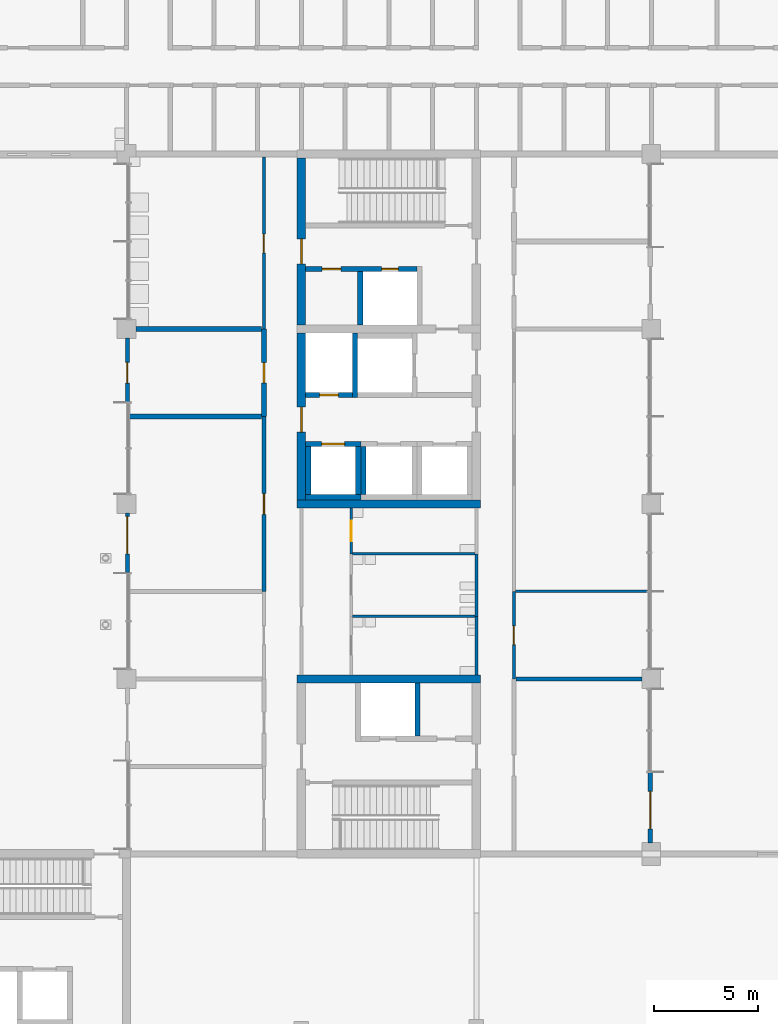
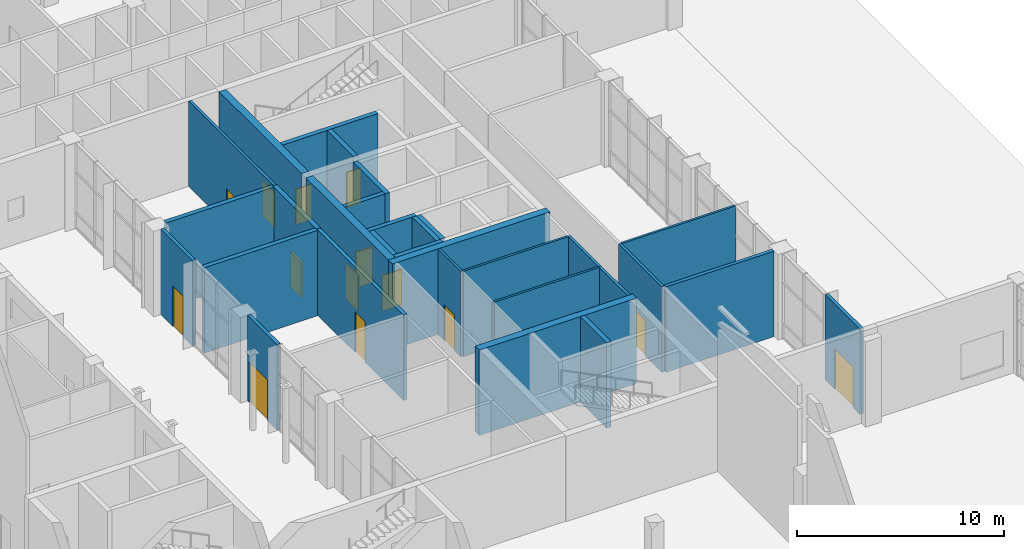
# One storey, part 42 of 76: 30 walls, 14 doors, 14 openings.
"""IFC4 building model written with IfcOpenShell, lengths in metres."""

import ifcopenshell
import ifcopenshell.guid

model = None  # the IFC model being written
_history = None  # IfcOwnerHistory: only IFC2X3 demands one
_inside = {}  # id of a spatial element -> (the spatial element, [elements in it])
_under = {}  # id of a project, library or spatial element -> (it, [spatial elements below it])
_declared = {}  # id of a project -> (the project, [libraries it declares])
_typed = {}  # id of a type object -> (the type object, [elements of that type])
_made_of = {}  # id of a material, layer set ... -> (it, [elements and type objects made of it])


def new_model(schema):
    """Start an empty IFC model of exactly this schema.

    Asked for "IFC4X3", IfcOpenShell would pick the latest addendum, in which some entities
    have other attributes; the version numbers below select the first issue.
    IFC2X3 requires an IfcOwnerHistory on every rooted entity: one is made here for all.
    """
    global model, _history
    if schema == "IFC4X3":
        model = ifcopenshell.file(schema_version=(4, 3, 0, 0))
    else:
        model = ifcopenshell.file(schema=schema)
    _inside.clear()
    _under.clear()
    _declared.clear()
    _typed.clear()
    _made_of.clear()
    _history = None
    if model.schema == "IFC2X3":
        org = make("IfcOrganization", Name="unknown")
        user = make(
            "IfcPersonAndOrganization",
            ThePerson=make("IfcPerson", FamilyName="unknown"),
            TheOrganization=org,
        )
        app = make(
            "IfcApplication",
            ApplicationDeveloper=org,
            Version="unknown",
            ApplicationFullName="unknown",
            ApplicationIdentifier="unknown",
        )
        _history = make(
            "IfcOwnerHistory",
            OwningUser=user,
            OwningApplication=app,
            ChangeAction="ADDED",
            CreationDate=0,
        )
    return model


def make(cls, **values):
    """One entity of the class cls with the attributes given. An attribute that is None is left unset."""
    return model.create_entity(
        cls, **{name: value for name, value in values.items() if value is not None}
    )


def rooted(cls, **values):
    """An entity with a GlobalId (a new one), such as an element, a storey or a relation."""
    return make(cls, GlobalId=ifcopenshell.guid.new(), OwnerHistory=_history, **values)


def si_unit(unit_type, name, prefix=None):
    """IfcSIUnit, for example si_unit("LENGTHUNIT", "METRE", prefix="MILLI")."""
    return make("IfcSIUnit", UnitType=unit_type, Prefix=prefix, Name=name)


def assignment(units):
    """IfcUnitAssignment: the units of a project."""
    return None if units is None else make("IfcUnitAssignment", Units=units)


def point(xyz):
    """IfcCartesianPoint."""
    return None if xyz is None else make("IfcCartesianPoint", Coordinates=xyz)


def direction(xyz):
    """IfcDirection."""
    return None if xyz is None else make("IfcDirection", DirectionRatios=xyz)


def frame(location, z_axis=None, x_axis=None):
    """IfcAxis2Placement3D, a coordinate frame: its origin and axes. An axis left out is left unset."""
    return make(
        "IfcAxis2Placement3D",
        Location=point(location),
        Axis=direction(z_axis),
        RefDirection=direction(x_axis),
    )


def frame_2d(location, x_axis=None):
    """IfcAxis2Placement2D, a coordinate frame in the plane: its origin and x axis."""
    return make(
        "IfcAxis2Placement2D", Location=point(location), RefDirection=direction(x_axis)
    )


def origin():
    """The frame at (0, 0, 0) with its axes left unset."""
    return frame((0.0, 0.0, 0.0))


def place(relative_to, where):
    """IfcLocalPlacement: puts the frame where relative to a parent placement (None: the world)."""
    return make(
        "IfcLocalPlacement", PlacementRelTo=relative_to, RelativePlacement=where
    )


def context(
    kind, dimensions, precision=None, world=None, true_north=None, identifier=None
):
    """IfcGeometricRepresentationContext, for example the 3D "Model" context."""
    return make(
        "IfcGeometricRepresentationContext",
        ContextIdentifier=identifier,
        ContextType=kind,
        CoordinateSpaceDimension=dimensions,
        Precision=precision,
        WorldCoordinateSystem=world,
        TrueNorth=true_north,
    )


def subcontext(parent, identifier, kind, view, scale=None):
    """IfcGeometricRepresentationSubContext, for example "Body" below "Model"."""
    return make(
        "IfcGeometricRepresentationSubContext",
        ContextIdentifier=identifier,
        ContextType=kind,
        ParentContext=parent,
        TargetScale=scale,
        TargetView=view,
    )


def project(units=None, contexts=None):
    """IfcProject with its units and contexts."""
    return rooted(
        "IfcProject",
        Name="project",
        RepresentationContexts=contexts,
        UnitsInContext=assignment(units),
    )


def spatial(cls, under=None, at=None, **own):
    """A site, building, storey or space (cls), placed at a placement, below another one or the project."""
    s = rooted(cls, ObjectPlacement=at, **own)
    if under is not None:
        _under.setdefault(under.id(), (under, []))[1].append(s)
    return s


def profile(cls, at=None, kind="AREA", **sizes):
    """A parametric profile (cls). Its sizes go by their IFC names, for example OverallWidth=200.0."""
    return make(cls, ProfileType=kind, Position=at, **sizes)


def rectangle(**sizes):
    """IfcRectangleProfileDef."""
    return profile("IfcRectangleProfileDef", **sizes)


def extrude(swept, where, along, depth):
    """IfcExtrudedAreaSolid: the profile swept, set in the frame where, extruded along a direction by depth."""
    return make(
        "IfcExtrudedAreaSolid",
        SweptArea=swept,
        Position=where,
        ExtrudedDirection=direction(along),
        Depth=depth,
    )


def shape(context_of_items, identifier, shape_type, items):
    """IfcShapeRepresentation: the items that make up one representation, for example the "Body"."""
    return make(
        "IfcShapeRepresentation",
        ContextOfItems=context_of_items,
        RepresentationIdentifier=identifier,
        RepresentationType=shape_type,
        Items=items,
    )


def material(Name=None, Category=None):
    """IfcMaterial."""
    return make("IfcMaterial", Name=Name, Category=Category)


def layer(
    of_material, thickness, ventilated=None, Name=None, Category=None, Priority=None
):
    """IfcMaterialLayer: one layer of a wall or slab, of a material (None: an air gap)."""
    return make(
        "IfcMaterialLayer",
        Material=of_material,
        LayerThickness=thickness,
        IsVentilated=ventilated,
        Name=Name,
        Category=Category,
        Priority=Priority,
    )


def layer_set(layers, Name=None):
    """IfcMaterialLayerSet."""
    return make("IfcMaterialLayerSet", MaterialLayers=layers, LayerSetName=Name)


def made_of(thing, what):
    """Note that an element or type object is made of a material, layer set ...; save() writes the relation."""
    if what is not None:
        _made_of.setdefault(what.id(), (what, []))[1].append(thing)
    return thing


def type_object(cls, material=None, **own):
    """A type object (cls), such as IfcWallType, which elements share."""
    return made_of(rooted(cls, **own), material)


def element(
    cls,
    number,
    at=None,
    inside=None,
    cuts=None,
    type_object=None,
    material=None,
    context=None,
    identifier="Body",
    shape_type=None,
    held_by="IfcProductDefinitionShape",
    body=None,
    shapes=None,
    **own,
):
    """One element of the class cls, such as IfcWall. Its Tag is "e" and its number.

    at: its placement. inside: the storey or other place that contains it. cuts: it is an
    opening in that element (IfcRelVoidsElement). A single representation is given by context,
    identifier, shape_type and body (its items); several are given by shapes. held_by: the class
    of the entity that holds the representations. save() writes the other relations.
    """
    e = rooted(cls, Tag="e%d" % number, ObjectPlacement=at, **own)
    if body is not None:
        shapes = [shape(context, identifier, shape_type, body)]
    if shapes is not None:
        e.Representation = make(held_by, Representations=shapes)
    if inside is not None:
        _inside.setdefault(inside.id(), (inside, []))[1].append(e)
    if cuts is not None:
        rooted(
            "IfcRelVoidsElement", RelatingBuildingElement=cuts, RelatedOpeningElement=e
        )
    if type_object is not None:
        _typed.setdefault(type_object.id(), (type_object, []))[1].append(e)
    return made_of(e, material)


def fill(opening, filler):
    """IfcRelFillsElement: the door or window that sits in an opening."""
    return rooted(
        "IfcRelFillsElement",
        RelatingOpeningElement=opening,
        RelatedBuildingElement=filler,
    )


def aggregate(whole, parts):
    """IfcRelAggregates: a whole, such as a stair, and the parts it consists of."""
    return rooted("IfcRelAggregates", RelatingObject=whole, RelatedObjects=parts)


def save(model, path):
    """Write the relations noted so far, then the file.

    IfcRelAggregates (storeys below a building ...), IfcRelContainedInSpatialStructure (elements
    in a storey), IfcRelDefinesByType, IfcRelAssociatesMaterial and IfcRelDeclares: one each for
    every whole, place, type object, material and project.
    """
    for whole, parts in _under.values():
        aggregate(whole, parts)
    for where, things in _inside.values():
        rooted(
            "IfcRelContainedInSpatialStructure",
            RelatedElements=things,
            RelatingStructure=where,
        )
    for kind, things in _typed.values():
        rooted("IfcRelDefinesByType", RelatedObjects=things, RelatingType=kind)
    for what, things in _made_of.values():
        rooted("IfcRelAssociatesMaterial", RelatedObjects=things, RelatingMaterial=what)
    for by, libraries in _declared.values():
        rooted("IfcRelDeclares", RelatingContext=by, RelatedDefinitions=libraries)
    model.write(path)


model = new_model("IFC4")

# Units and contexts
model_context = context("Model", 3, precision=1e-05, world=origin(), true_north=direction((0.0, 1.0)))
body_context = subcontext(model_context, "Body", "Model", "MODEL_VIEW")
ifc_project = project(units=[si_unit("LENGTHUNIT", "METRE"), si_unit("AREAUNIT", "SQUARE_METRE"), si_unit("VOLUMEUNIT", "CUBIC_METRE"), si_unit("PLANEANGLEUNIT", "RADIAN"), si_unit("MASSUNIT", "GRAM", prefix="KILO")], contexts=[model_context])

# Site, building, storey
site_placement = place(None, origin())
site = spatial("IfcSite", under=ifc_project, at=site_placement, CompositionType="ELEMENT")
building_placement = place(site_placement, origin())
building = spatial("IfcBuilding", under=site, at=building_placement, Name="Hlaing Beacon Police Headquarters", CompositionType="ELEMENT")
storey_placement = place(building_placement, origin())
storey = spatial("IfcBuildingStorey", under=building, at=storey_placement, Name="L00", CompositionType="ELEMENT", Elevation=0.0)

# Wall
ifc_material_1 = material(Name="Concrete C60/75", Category="concrete")
ifc_layer_1 = layer(ifc_material_1, 0.39990234375)
ifc_layer_set_1 = layer_set([ifc_layer_1], Name="Concrete C60/75")
wall_type_1 = type_object("IfcWallType", Name="Core shear wall 400", PredefinedType="SHEAR", material=ifc_layer_set_1)
wall_1_placement = place(storey_placement, frame((109.0, 50.39990234375, 0.0), z_axis=(0.0, 0.0, 1.0), x_axis=(1.0, 0.0, 0.0)))
element("IfcWall", 1, at=wall_1_placement, inside=storey, type_object=wall_type_1, Name="Core shear wall", PredefinedType="SHEAR", context=body_context, shape_type="SweptSolid", body=[
    extrude(rectangle(XDim=8.800048828125, YDim=0.39990234375, at=frame_2d((4.39990234375, 0.0))), origin(), (0.0, 0.0, 1.0), 5.050048828125),
])

# Wall, opening, door
wall_2_placement = place(storey_placement, frame((109.199951171875, 50.60009765625, 0.0), z_axis=(0.0, 0.0, 1.0), x_axis=(0.0, 1.0, 0.0)))
wall_2 = element("IfcWall", 2, at=wall_2_placement, inside=storey, type_object=wall_type_1, Name="Core shear wall", PredefinedType="SHEAR", context=body_context, shape_type="SweptSolid", body=[
    extrude(rectangle(XDim=8.0, YDim=0.39990234375, at=frame_2d((4.0, 0.0))), origin(), (0.0, 0.0, 1.0), 5.050048828125),
])
opening_1_placement = place(wall_2_placement, frame((3.25, 0.0, 0.0)))
opening_1 = element("IfcOpeningElement", 3, at=opening_1_placement, cuts=wall_2, Name="Opening L00-945", PredefinedType="OPENING", context=body_context, shape_type="SweptSolid", body=[
    extrude(rectangle(XDim=1.199951171875, YDim=2.10009765625, at=frame_2d((0.60009765625, 1.050048828125))), frame((0.0, 0.2099609375, 0.0), z_axis=(0.0, -1.0, 0.0), x_axis=(1.0, 0.0, 0.0)), (0.0, 0.0, 1.0), 0.419921875),
])
ifc_material_2 = material(Name="Steel fire door leaf", Category="steel")
ifc_layer_2 = layer(ifc_material_2, 0.070068359375)
ifc_layer_set_2 = layer_set([ifc_layer_2], Name="Steel fire door leaf")
door_type_1 = type_object("IfcDoorType", Name="Steel fire door FD60S 1200x2100", OperationType="SINGLE_SWING_LEFT", PredefinedType="DOOR", material=ifc_layer_set_2)
door_1_placement = place(opening_1_placement, frame((1.199951171875, 0.0, 0.0), z_axis=(0.0, 0.0, 1.0), x_axis=(-1.0, 0.0, 0.0)))
door_1 = element("IfcDoor", 4, at=door_1_placement, inside=storey, type_object=door_type_1, Name="Door Lift Lobby Entry", OperationType="SINGLE_SWING_LEFT", OverallHeight=2.10009765625, OverallWidth=1.199951171875, PredefinedType="DOOR", context=body_context, shape_type="SweptSolid", body=[
    extrude(rectangle(XDim=1.199951171875, YDim=2.10009765625, at=frame_2d((0.599853515625, 1.050048828125))), frame((0.0, 0.034912109375, 0.0), z_axis=(0.0, -1.0, 0.0), x_axis=(1.0, 0.0, 0.0)), (0.0, 0.0, 1.0), 0.070068359375),
])
fill(opening_1, door_1)

wall_3_placement = place(storey_placement, frame((109.199951171875, 59.0, 0.0), z_axis=(0.0, 0.0, 1.0), x_axis=(0.0, 1.0, 0.0)))
wall_3 = element("IfcWall", 5, at=wall_3_placement, inside=storey, type_object=wall_type_1, Name="Core shear wall", PredefinedType="SHEAR", context=body_context, shape_type="SweptSolid", body=[
    extrude(rectangle(XDim=8.0, YDim=0.39990234375, at=frame_2d((4.0, 0.0))), origin(), (0.0, 0.0, 1.0), 5.050048828125),
])
opening_2_placement = place(wall_3_placement, frame((2.925048828125, 0.0, 0.0)))
opening_2 = element("IfcOpeningElement", 6, at=opening_2_placement, cuts=wall_3, Name="Opening L00-951", PredefinedType="OPENING", context=body_context, shape_type="SweptSolid", body=[
    extrude(rectangle(XDim=1.199951171875, YDim=2.10009765625, at=frame_2d((0.60009765625, 1.050048828125))), frame((0.0, 0.2099609375, 0.0), z_axis=(0.0, -1.0, 0.0), x_axis=(1.0, 0.0, 0.0)), (0.0, 0.0, 1.0), 0.419921875),
])
door_2_placement = place(opening_2_placement, frame((1.199951171875, 0.0, 0.0), z_axis=(0.0, 0.0, 1.0), x_axis=(-1.0, 0.0, 0.0)))
door_2 = element("IfcDoor", 7, at=door_2_placement, inside=storey, type_object=door_type_1, Name="Door Stair Lobby ST-M Entry", OperationType="SINGLE_SWING_LEFT", OverallHeight=2.10009765625, OverallWidth=1.199951171875, PredefinedType="DOOR", context=body_context, shape_type="SweptSolid", body=[
    extrude(rectangle(XDim=1.199951171875, YDim=2.10009765625, at=frame_2d((0.599853515625, 1.050048828125))), frame((0.0, 0.034912109375, 0.0), z_axis=(0.0, -1.0, 0.0), x_axis=(1.0, 0.0, 0.0)), (0.0, 0.0, 1.0), 0.070068359375),
])
fill(opening_2, door_2)

# Wall
wall_4_placement = place(storey_placement, frame((109.0, 42.0, 0.0), z_axis=(0.0, 0.0, 1.0), x_axis=(1.0, 0.0, 0.0)))
element("IfcWall", 8, at=wall_4_placement, inside=storey, type_object=wall_type_1, Name="Core shear wall", PredefinedType="SHEAR", context=body_context, shape_type="SweptSolid", body=[
    extrude(rectangle(XDim=8.800048828125, YDim=0.39990234375, at=frame_2d((4.39990234375, 0.0))), origin(), (0.0, 0.0, 1.0), 5.050048828125),
])

# Wall, opening, door
ifc_material_3 = material(Name="Gypsum board partition")
ifc_layer_3 = layer(ifc_material_3, 0.14990234375)
ifc_layer_set_3 = layer_set([ifc_layer_3], Name="Gypsum board partition")
wall_type_2 = type_object("IfcWallType", Name="Corridor wall EI 30 150", PredefinedType="PARTITIONING", material=ifc_layer_set_3)
wall_5_placement = place(storey_placement, frame((119.39990234375, 42.0, 0.0), z_axis=(0.0, 0.0, 1.0), x_axis=(0.0, 1.0, 0.0)))
wall_5 = element("IfcWall", 9, at=wall_5_placement, inside=storey, type_object=wall_type_2, Name="Corridor wall EI 30 150", PredefinedType="PARTITIONING", context=body_context, shape_type="SweptSolid", body=[
    extrude(rectangle(XDim=4.199951171875, YDim=0.14990234375, at=frame_2d((2.10009765625, 0.0))), origin(), (0.0, 0.0, 1.0), 5.050048828125),
])
opening_3_placement = place(wall_5_placement, frame((1.64990234375, 0.0, 0.0)))
opening_3 = element("IfcOpeningElement", 10, at=opening_3_placement, cuts=wall_5, Name="Opening L00-049", PredefinedType="OPENING", context=body_context, shape_type="SweptSolid", body=[
    extrude(rectangle(XDim=0.89990234375, YDim=2.10009765625, at=frame_2d((0.449951171875, 1.050048828125))), frame((0.0, 0.0849609375, 0.0), z_axis=(0.0, -1.0, 0.0), x_axis=(1.0, 0.0, 0.0)), (0.0, 0.0, 1.0), 0.169921875),
])
ifc_material_4 = material(Name="Hardwood door leaf", Category="wood")
ifc_layer_4 = layer(ifc_material_4, 0.050048828125)
ifc_layer_set_4 = layer_set([ifc_layer_4], Name="Hardwood door leaf")
door_type_2 = type_object("IfcDoorType", Name="Fire door FD30S 900x2100", OperationType="SINGLE_SWING_LEFT", PredefinedType="DOOR", material=ifc_layer_set_4)
door_3_placement = place(opening_3_placement, frame((0.89990234375, 0.0, 0.0), z_axis=(0.0, 0.0, 1.0), x_axis=(-1.0, 0.0, 0.0)))
door_3 = element("IfcDoor", 11, at=door_3_placement, inside=storey, type_object=door_type_2, Name="Door Duty Sergeants' Office", OperationType="SINGLE_SWING_LEFT", OverallHeight=2.10009765625, OverallWidth=0.89990234375, PredefinedType="DOOR", context=body_context, shape_type="SweptSolid", body=[
    extrude(rectangle(XDim=0.89990234375, YDim=2.10009765625, at=frame_2d((0.449951171875, 1.050048828125))), frame((0.0, 0.025146484375, 0.0), z_axis=(0.0, -1.0, 0.0), x_axis=(1.0, 0.0, 0.0)), (0.0, 0.0, 1.0), 0.050048828125),
])
fill(opening_3, door_3)

# Walls
wall_6_placement = place(storey_placement, frame((117.60009765625, 45.0, 0.0), z_axis=(0.0, 0.0, 1.0), x_axis=(0.0, 1.0, 0.0)))
element("IfcWall", 12, at=wall_6_placement, inside=storey, type_object=wall_type_2, Name="Corridor wall EI 30 150", PredefinedType="PARTITIONING", context=body_context, shape_type="SweptSolid", body=[
    extrude(rectangle(XDim=3.0, YDim=0.14990234375, at=frame_2d((1.5, 0.0))), origin(), (0.0, 0.0, 1.0), 5.050048828125),
])
wall_7_placement = place(storey_placement, frame((117.60009765625, 42.199951171875, 0.0), z_axis=(0.0, 0.0, 1.0), x_axis=(0.0, 1.0, 0.0)))
element("IfcWall", 13, at=wall_7_placement, inside=storey, type_object=wall_type_2, Name="Corridor wall EI 30 150", PredefinedType="PARTITIONING", context=body_context, shape_type="SweptSolid", body=[
    extrude(rectangle(XDim=2.800048828125, YDim=0.14990234375, at=frame_2d((1.39990234375, 0.0))), origin(), (0.0, 0.0, 1.0), 5.050048828125),
])

# Wall, opening, door
wall_8_placement = place(storey_placement, frame((107.39990234375, 58.800048828125, 0.0), z_axis=(0.0, 0.0, 1.0), x_axis=(0.0, 1.0, 0.0)))
wall_8 = element("IfcWall", 14, at=wall_8_placement, inside=storey, type_object=wall_type_2, Name="Corridor wall EI 30 150", PredefinedType="PARTITIONING", context=body_context, shape_type="SweptSolid", body=[
    extrude(rectangle(XDim=8.25, YDim=0.14990234375, at=frame_2d((4.125, 0.0))), origin(), (0.0, 0.0, 1.0), 5.050048828125),
])
opening_4_placement = place(wall_8_placement, frame((3.64990234375, 0.0, 0.0)))
opening_4 = element("IfcOpeningElement", 15, at=opening_4_placement, cuts=wall_8, Name="Opening L00-063", PredefinedType="OPENING", context=body_context, shape_type="SweptSolid", body=[
    extrude(rectangle(XDim=0.89990234375, YDim=2.10009765625, at=frame_2d((0.449951171875, 1.050048828125))), frame((0.0, 0.0849609375, 0.0), z_axis=(0.0, -1.0, 0.0), x_axis=(1.0, 0.0, 0.0)), (0.0, 0.0, 1.0), 0.169921875),
])
door_4_placement = place(opening_4_placement, origin())
door_4 = element("IfcDoor", 16, at=door_4_placement, inside=storey, type_object=door_type_2, Name="Door Locker and Shower Rooms", OperationType="SINGLE_SWING_LEFT", OverallHeight=2.10009765625, OverallWidth=0.89990234375, PredefinedType="DOOR", context=body_context, shape_type="SweptSolid", body=[
    extrude(rectangle(XDim=0.89990234375, YDim=2.10009765625, at=frame_2d((0.449951171875, 1.050048828125))), frame((0.0, 0.02490234375, 0.0), z_axis=(0.0, -1.0, 0.0), x_axis=(1.0, 0.0, 0.0)), (0.0, 0.0, 1.0), 0.050048828125),
])
fill(opening_4, door_4)

ifc_material_5 = material(Name="Concrete blockwork 7.5 N/mm2", Category="masonry")
ifc_layer_5 = layer(ifc_material_5, 0.25)
ifc_layer_set_5 = layer_set([ifc_layer_5], Name="Concrete blockwork 7.5 N/mm2")
wall_type_3 = type_object("IfcWallType", Name="Fire command room wall EI 120 250", PredefinedType="PARTITIONING", material=ifc_layer_set_5)
wall_9_placement = place(storey_placement, frame((107.39990234375, 54.60009765625, 0.0), z_axis=(0.0, 0.0, 1.0), x_axis=(0.0, 1.0, 0.0)))
wall_9 = element("IfcWall", 17, at=wall_9_placement, inside=storey, type_object=wall_type_3, Name="Fire command room wall EI 120 250", PredefinedType="PARTITIONING", context=body_context, shape_type="SweptSolid", body=[
    extrude(rectangle(XDim=4.199951171875, YDim=0.25, at=frame_2d((2.10009765625, 0.0))), origin(), (0.0, 0.0, 1.0), 5.050048828125),
])
opening_5_placement = place(wall_9_placement, frame((1.60009765625, 0.0, 0.0)))
opening_5 = element("IfcOpeningElement", 18, at=opening_5_placement, cuts=wall_9, Name="Opening L00-062", PredefinedType="OPENING", context=body_context, shape_type="SweptSolid", body=[
    extrude(rectangle(XDim=1.0, YDim=2.10009765625, at=frame_2d((0.5, 1.050048828125))), frame((0.0, 0.135009765625, 0.0), z_axis=(0.0, -1.0, 0.0), x_axis=(1.0, 0.0, 0.0)), (0.0, 0.0, 1.0), 0.27001953125),
])
ifc_material_6 = material(Name="Hardwood door leaf", Category="wood")
ifc_layer_6 = layer(ifc_material_6, 0.10009765625)
ifc_layer_set_6 = layer_set([ifc_layer_6], Name="Hardwood door leaf")
door_type_3 = type_object("IfcDoorType", Name="Fire door FD120 1000x2100", OperationType="SINGLE_SWING_LEFT", PredefinedType="DOOR", material=ifc_layer_set_6)
door_5_placement = place(opening_5_placement, origin())
door_5 = element("IfcDoor", 19, at=door_5_placement, inside=storey, type_object=door_type_3, Name="Door Fire Command Room", OperationType="SINGLE_SWING_RIGHT", OverallHeight=2.10009765625, OverallWidth=1.0, PredefinedType="DOOR", context=body_context, shape_type="SweptSolid", body=[
    extrude(rectangle(XDim=1.0, YDim=2.10009765625, at=frame_2d((0.5, 1.050048828125))), frame((0.0, 0.050048828125, 0.0), z_axis=(0.0, -1.0, 0.0), x_axis=(1.0, 0.0, 0.0)), (0.0, 0.0, 1.0), 0.10009765625),
])
fill(opening_5, door_5)

# Walls
wall_10_placement = place(storey_placement, frame((100.949951171875, 54.60009765625, 0.0), z_axis=(0.0, 0.0, 1.0), x_axis=(1.0, 0.0, 0.0)))
element("IfcWall", 20, at=wall_10_placement, inside=storey, type_object=wall_type_3, Name="Fire command room wall EI 120 250", PredefinedType="PARTITIONING", context=body_context, shape_type="SweptSolid", body=[
    extrude(rectangle(XDim=6.324951171875, YDim=0.25, at=frame_2d((3.16259765625, 0.0))), origin(), (0.0, 0.0, 1.0), 5.050048828125),
])
wall_11_placement = place(storey_placement, frame((101.25, 58.800048828125, 0.0), z_axis=(0.0, 0.0, 1.0), x_axis=(1.0, 0.0, 0.0)))
element("IfcWall", 21, at=wall_11_placement, inside=storey, type_object=wall_type_3, Name="Fire command room wall EI 120 250", PredefinedType="PARTITIONING", context=body_context, shape_type="SweptSolid", body=[
    extrude(rectangle(XDim=6.02490234375, YDim=0.25, at=frame_2d((3.012451171875, 0.0))), origin(), (0.0, 0.0, 1.0), 5.050048828125),
])

# Wall, opening, door
ifc_material_7 = material(Name="Insulated aluminium cladding system", Category="aluminium")
ifc_layer_7 = layer(ifc_material_7, 0.199951171875)
ifc_layer_set_7 = layer_set([ifc_layer_7], Name="Insulated aluminium cladding system")
wall_type_4 = type_object("IfcWallType", Name="Insulated aluminium clad wall 200", PredefinedType="SOLIDWALL", material=ifc_layer_set_7)
wall_12_placement = place(storey_placement, frame((125.949951171875, 34.1298828125, 0.0), z_axis=(0.0, 0.0, 1.0), x_axis=(0.0, 1.0, 0.0)))
wall_12 = element("IfcWall", 22, at=wall_12_placement, inside=storey, type_object=wall_type_4, Name="External wall L00 E027", PredefinedType="SOLIDWALL", context=body_context, shape_type="SweptSolid", body=[
    extrude(rectangle(XDim=3.3701171875, YDim=0.199951171875, at=frame_2d((1.68505859375, 0.0))), origin(), (0.0, 0.0, 1.0), 5.050048828125),
])
opening_6_placement = place(wall_12_placement, frame((0.669921875, 0.0, 0.0)))
opening_6 = element("IfcOpeningElement", 23, at=opening_6_placement, cuts=wall_12, Name="Opening L00-809", PredefinedType="OPENING", context=body_context, shape_type="SweptSolid", body=[
    extrude(rectangle(XDim=1.800048828125, YDim=2.39990234375, at=frame_2d((0.89990234375, 1.199951171875))), frame((0.0, 0.10986328125, 0.0), z_axis=(0.0, -1.0, 0.0), x_axis=(1.0, 0.0, 0.0)), (0.0, 0.0, 1.0), 0.219970703125),
])
ifc_material_8 = material(Name="Aluminium framed glazed door", Category="aluminium")
door_type_4 = type_object("IfcDoorType", Name="Entrance door 1800x2400 double", OperationType="DOUBLE_DOOR_DOUBLE_SWING", PredefinedType="DOOR", material=ifc_material_8)
door_6_placement = place(opening_6_placement, frame((1.800048828125, 0.0, 0.0), z_axis=(0.0, 0.0, 1.0), x_axis=(-1.0, 0.0, 0.0)))
door_6 = element("IfcDoor", 24, at=door_6_placement, inside=storey, type_object=door_type_4, Name="Door Operations Staff Lobby", OperationType="DOUBLE_DOOR_DOUBLE_SWING", OverallHeight=2.39990234375, OverallWidth=1.800048828125, PredefinedType="DOOR", context=body_context, shape_type="SweptSolid", body=[
    extrude(rectangle(XDim=1.800048828125, YDim=2.39990234375, at=frame_2d((0.900146484375, 1.199951171875))), frame((0.0, 0.025146484375, 0.0), z_axis=(0.0, -1.0, 0.0), x_axis=(1.0, 0.0, 0.0)), (0.0, 0.0, 1.0), 0.050048828125),
])
fill(opening_6, door_6)

wall_13_placement = place(storey_placement, frame((100.85009765625, 58.3701171875, 0.0), z_axis=(0.0, 0.0, 1.0), x_axis=(0.0, -1.0, 0.0)))
wall_13 = element("IfcWall", 25, at=wall_13_placement, inside=storey, type_object=wall_type_4, Name="External wall L00 W040", PredefinedType="SOLIDWALL", context=body_context, shape_type="SweptSolid", body=[
    extrude(rectangle(XDim=3.070068359375, YDim=0.199951171875, at=frame_2d((1.53515625, 0.0))), origin(), (0.0, 0.0, 1.0), 5.050048828125),
])
opening_7_placement = place(wall_13_placement, frame((1.169921875, 0.0, 0.0)))
opening_7 = element("IfcOpeningElement", 26, at=opening_7_placement, cuts=wall_13, Name="Opening L00-814", PredefinedType="OPENING", context=body_context, shape_type="SweptSolid", body=[
    extrude(rectangle(XDim=1.0, YDim=2.39990234375, at=frame_2d((0.5, 1.199951171875))), frame((0.0, 0.10986328125, 0.0), z_axis=(0.0, -1.0, 0.0), x_axis=(1.0, 0.0, 0.0)), (0.0, 0.0, 1.0), 0.219970703125),
])
ifc_material_9 = material(Name="Steel door", Category="steel")
door_type_5 = type_object("IfcDoorType", Name="Steel fire door FD120 1000x2400", OperationType="SINGLE_SWING_LEFT", PredefinedType="DOOR", material=ifc_material_9)
door_7_placement = place(opening_7_placement, frame((1.0, 0.0, 0.0), z_axis=(0.0, 0.0, 1.0), x_axis=(-1.0, 0.0, 0.0)))
door_7 = element("IfcDoor", 27, at=door_7_placement, inside=storey, type_object=door_type_5, Name="Door Fire Command Room", OperationType="SINGLE_SWING_RIGHT", OverallHeight=2.39990234375, OverallWidth=1.0, PredefinedType="DOOR", context=body_context, shape_type="SweptSolid", body=[
    extrude(rectangle(XDim=1.0, YDim=2.39990234375, at=frame_2d((0.5, 1.199951171875))), frame((0.0, 0.025146484375, 0.0), z_axis=(0.0, -1.0, 0.0), x_axis=(1.0, 0.0, 0.0)), (0.0, 0.0, 1.0), 0.050048828125),
])
fill(opening_7, door_7)

wall_14_placement = place(storey_placement, frame((100.85009765625, 49.969970703125, 0.0), z_axis=(0.0, 0.0, 1.0), x_axis=(0.0, -1.0, 0.0)))
wall_14 = element("IfcWall", 28, at=wall_14_placement, inside=storey, type_object=wall_type_4, Name="External wall L00 W041", PredefinedType="SOLIDWALL", context=body_context, shape_type="SweptSolid", body=[
    extrude(rectangle(XDim=2.869873046875, YDim=0.199951171875, at=frame_2d((1.43505859375, 0.0))), origin(), (0.0, 0.0, 1.0), 5.050048828125),
])
opening_8_placement = place(wall_14_placement, frame((0.169921875, 0.0, 0.0)))
opening_8 = element("IfcOpeningElement", 29, at=opening_8_placement, cuts=wall_14, Name="Opening L00-815", PredefinedType="OPENING", context=body_context, shape_type="SweptSolid", body=[
    extrude(rectangle(XDim=1.800048828125, YDim=2.39990234375, at=frame_2d((0.89990234375, 1.199951171875))), frame((0.0, 0.10986328125, 0.0), z_axis=(0.0, -1.0, 0.0), x_axis=(1.0, 0.0, 0.0)), (0.0, 0.0, 1.0), 0.219970703125),
])
door_8_placement = place(opening_8_placement, frame((1.800048828125, 0.0, 0.0), z_axis=(0.0, 0.0, 1.0), x_axis=(-1.0, 0.0, 0.0)))
door_8 = element("IfcDoor", 30, at=door_8_placement, inside=storey, type_object=door_type_4, Name="Door Operations Entrance and Security Lobby", OperationType="DOUBLE_DOOR_DOUBLE_SWING", OverallHeight=2.39990234375, OverallWidth=1.800048828125, PredefinedType="DOOR", context=body_context, shape_type="SweptSolid", body=[
    extrude(rectangle(XDim=1.800048828125, YDim=2.39990234375, at=frame_2d((0.900146484375, 1.199951171875))), frame((0.0, 0.025146484375, 0.0), z_axis=(0.0, -1.0, 0.0), x_axis=(1.0, 0.0, 0.0)), (0.0, 0.0, 1.0), 0.050048828125),
])
fill(opening_8, door_8)

ifc_material_10 = material(Name="Concrete blockwork 7.5 N/mm2", Category="masonry")
ifc_layer_8 = layer(ifc_material_10, 0.199951171875)
ifc_layer_set_8 = layer_set([ifc_layer_8], Name="Concrete blockwork 7.5 N/mm2")
wall_type_5 = type_object("IfcWallType", Name="Lobby wall EI 120 200", PredefinedType="PARTITIONING", material=ifc_layer_set_8)
wall_15_placement = place(storey_placement, frame((107.39990234375, 46.199951171875, 0.0), z_axis=(0.0, 0.0, 1.0), x_axis=(0.0, 1.0, 0.0)))
wall_15 = element("IfcWall", 31, at=wall_15_placement, inside=storey, type_object=wall_type_5, Name="Lobby wall EI 120 200", PredefinedType="PARTITIONING", context=body_context, shape_type="SweptSolid", body=[
    extrude(rectangle(XDim=8.400146484375, YDim=0.199951171875, at=frame_2d((4.2001953125, 0.0))), origin(), (0.0, 0.0, 1.0), 5.050048828125),
])
opening_9_placement = place(wall_15_placement, frame((3.699951171875, 0.0, 0.0)))
opening_9 = element("IfcOpeningElement", 32, at=opening_9_placement, cuts=wall_15, Name="Opening L00-061", PredefinedType="OPENING", context=body_context, shape_type="SweptSolid", body=[
    extrude(rectangle(XDim=1.0, YDim=2.39990234375, at=frame_2d((0.5, 1.199951171875))), frame((0.0, 0.10986328125, 0.0), z_axis=(0.0, -1.0, 0.0), x_axis=(1.0, 0.0, 0.0)), (0.0, 0.0, 1.0), 0.219970703125),
])
ifc_material_11 = material(Name="Hardwood door leaf", Category="wood")
ifc_layer_9 = layer(ifc_material_11, 0.06005859375)
ifc_layer_set_9 = layer_set([ifc_layer_9], Name="Hardwood door leaf")
door_type_6 = type_object("IfcDoorType", Name="Fire public door FD60S 1000x2400", OperationType="SINGLE_SWING_LEFT", PredefinedType="DOOR", material=ifc_layer_set_9)
door_9_placement = place(opening_9_placement, origin())
door_9 = element("IfcDoor", 33, at=door_9_placement, inside=storey, type_object=door_type_6, Name="Door Operations Entrance and Security Lobby", OperationType="SINGLE_SWING_LEFT", OverallHeight=2.39990234375, OverallWidth=1.0, PredefinedType="DOOR", context=body_context, shape_type="SweptSolid", body=[
    extrude(rectangle(XDim=1.0, YDim=2.39990234375, at=frame_2d((0.5, 1.199951171875))), frame((0.0, 0.030029296875, 0.0), z_axis=(0.0, -1.0, 0.0), x_axis=(1.0, 0.0, 0.0)), (0.0, 0.0, 1.0), 0.06005859375),
])
fill(opening_9, door_9)

# Walls
wall_16_placement = place(storey_placement, frame((119.5, 42.0, 0.0), z_axis=(0.0, 0.0, 1.0), x_axis=(1.0, 0.0, 0.0)))
element("IfcWall", 34, at=wall_16_placement, inside=storey, type_object=wall_type_5, Name="Lobby wall EI 120 200", PredefinedType="PARTITIONING", context=body_context, shape_type="SweptSolid", body=[
    extrude(rectangle(XDim=6.050048828125, YDim=0.199951171875, at=frame_2d((3.02490234375, 0.0))), origin(), (0.0, 0.0, 1.0), 5.050048828125),
])
ifc_material_12 = material(Name="Gypsum board partition")
ifc_layer_10 = layer(ifc_material_12, 0.125)
ifc_layer_set_10 = layer_set([ifc_layer_10], Name="Gypsum board partition")
wall_type_6 = type_object("IfcWallType", Name="Partition 125", PredefinedType="PARTITIONING", material=ifc_layer_set_10)
wall_17_placement = place(storey_placement, frame((119.47509765625, 46.199951171875, 0.0), z_axis=(0.0, 0.0, 1.0), x_axis=(1.0, 0.0, 0.0)))
element("IfcWall", 35, at=wall_17_placement, inside=storey, type_object=wall_type_6, Name="Partition 125", PredefinedType="PARTITIONING", context=body_context, shape_type="SweptSolid", body=[
    extrude(rectangle(XDim=6.375, YDim=0.125, at=frame_2d((3.1875, 0.0))), origin(), (0.0, 0.0, 1.0), 5.050048828125),
])
wall_18_placement = place(storey_placement, frame((111.662109375, 48.0, 0.0), z_axis=(0.0, 0.0, 1.0), x_axis=(1.0, 0.0, 0.0)))
element("IfcWall", 36, at=wall_18_placement, inside=storey, type_object=wall_type_6, Name="Partition 125", PredefinedType="PARTITIONING", context=body_context, shape_type="SweptSolid", body=[
    extrude(rectangle(XDim=5.86279296875, YDim=0.125, at=frame_2d((2.931396484375, 0.0))), origin(), (0.0, 0.0, 1.0), 5.050048828125),
])

# Wall, opening, door
wall_19_placement = place(storey_placement, frame((111.60009765625, 48.0, 0.0), z_axis=(0.0, 0.0, 1.0), x_axis=(0.0, 1.0, 0.0)))
wall_19 = element("IfcWall", 37, at=wall_19_placement, inside=storey, type_object=wall_type_6, Name="Partition 125", PredefinedType="PARTITIONING", context=body_context, shape_type="SweptSolid", body=[
    extrude(rectangle(XDim=2.199951171875, YDim=0.125, at=frame_2d((1.10009765625, 0.0))), origin(), (0.0, 0.0, 1.0), 5.050048828125),
])
opening_10_placement = place(wall_19_placement, frame((0.60009765625, 0.0, 0.0)))
opening_10 = element("IfcOpeningElement", 38, at=opening_10_placement, cuts=wall_19, Name="Opening L00-054", PredefinedType="OPENING", context=body_context, shape_type="SweptSolid", body=[
    extrude(rectangle(XDim=1.0, YDim=2.10009765625, at=frame_2d((0.5, 1.050048828125))), frame((0.0, 0.072509765625, 0.0), z_axis=(0.0, -1.0, 0.0), x_axis=(1.0, 0.0, 0.0)), (0.0, 0.0, 1.0), 0.14501953125),
])
ifc_material_13 = material(Name="Hardwood door leaf", Category="wood")
ifc_layer_11 = layer(ifc_material_13, 0.0400390625)
ifc_layer_set_11 = layer_set([ifc_layer_11], Name="Hardwood door leaf")
door_type_7 = type_object("IfcDoorType", Name="Door 1000x2100", OperationType="SINGLE_SWING_LEFT", PredefinedType="DOOR", material=ifc_layer_set_11)
door_10_placement = place(opening_10_placement, frame((1.0, 0.0, 0.0), z_axis=(0.0, 0.0, 1.0), x_axis=(-1.0, 0.0, 0.0)))
door_10 = element("IfcDoor", 39, at=door_10_placement, inside=storey, type_object=door_type_7, Name="Door Accessible WC", OperationType="SINGLE_SWING_RIGHT", OverallHeight=2.10009765625, OverallWidth=1.0, PredefinedType="DOOR", context=body_context, shape_type="SweptSolid", body=[
    extrude(rectangle(XDim=1.0, YDim=2.10009765625, at=frame_2d((0.5, 1.050048828125))), frame((0.0, 0.02001953125, 0.0), z_axis=(0.0, -1.0, 0.0), x_axis=(1.0, 0.0, 0.0)), (0.0, 0.0, 1.0), 0.0400390625),
])
fill(opening_10, door_10)

# Wall
wall_20_placement = place(storey_placement, frame((111.662109375, 45.0, 0.0), z_axis=(0.0, 0.0, 1.0), x_axis=(1.0, 0.0, 0.0)))
element("IfcWall", 40, at=wall_20_placement, inside=storey, type_object=wall_type_6, Name="Partition 125", PredefinedType="PARTITIONING", context=body_context, shape_type="SweptSolid", body=[
    extrude(rectangle(XDim=5.86279296875, YDim=0.125, at=frame_2d((2.931396484375, 0.0))), origin(), (0.0, 0.0, 1.0), 5.050048828125),
])

# Wall, opening, door
ifc_material_14 = material(Name="Concrete C40/50", Category="concrete")
ifc_layer_12 = layer(ifc_material_14, 0.25)
ifc_layer_set_12 = layer_set([ifc_layer_12], Name="Concrete C40/50")
wall_type_7 = type_object("IfcWallType", Name="Shaft wall 250", PredefinedType="SOLIDWALL", material=ifc_layer_set_12)
wall_21_placement = place(storey_placement, frame((109.39990234375, 55.625, 0.0), z_axis=(0.0, 0.0, 1.0), x_axis=(1.0, 0.0, 0.0)))
wall_21 = element("IfcWall", 41, at=wall_21_placement, inside=storey, type_object=wall_type_7, Name="Lobby wall", PredefinedType="SOLIDWALL", context=body_context, shape_type="SweptSolid", body=[
    extrude(rectangle(XDim=2.25, YDim=0.25, at=frame_2d((1.125, 0.0))), origin(), (0.0, 0.0, 1.0), 5.050048828125),
])
opening_11_placement = place(wall_21_placement, frame((0.675048828125, 0.0, 0.0)))
opening_11 = element("IfcOpeningElement", 42, at=opening_11_placement, cuts=wall_21, Name="Opening L00-949", PredefinedType="OPENING", context=body_context, shape_type="SweptSolid", body=[
    extrude(rectangle(XDim=0.89990234375, YDim=2.10009765625, at=frame_2d((0.449951171875, 1.050048828125))), frame((0.0, 0.135009765625, 0.0), z_axis=(0.0, -1.0, 0.0), x_axis=(1.0, 0.0, 0.0)), (0.0, 0.0, 1.0), 0.27001953125),
])
ifc_material_15 = material(Name="Steel fire door leaf", Category="steel")
ifc_layer_13 = layer(ifc_material_15, 0.10009765625)
ifc_layer_set_13 = layer_set([ifc_layer_13], Name="Steel fire door leaf")
door_type_8 = type_object("IfcDoorType", Name="Steel fire door FD120 900x2100", OperationType="SINGLE_SWING_LEFT", PredefinedType="DOOR", material=ifc_layer_set_13)
door_11_placement = place(opening_11_placement, origin())
door_11 = element("IfcDoor", 43, at=door_11_placement, inside=storey, type_object=door_type_8, Name="Door Electrical Riser Room", OperationType="SINGLE_SWING_LEFT", OverallHeight=2.10009765625, OverallWidth=0.89990234375, PredefinedType="DOOR", context=body_context, shape_type="SweptSolid", body=[
    extrude(rectangle(XDim=0.89990234375, YDim=2.10009765625, at=frame_2d((0.449951171875, 1.050048828125))), frame((0.0, 0.050048828125, 0.0), z_axis=(0.0, -1.0, 0.0), x_axis=(1.0, 0.0, 0.0)), (0.0, 0.0, 1.0), 0.10009765625),
])
fill(opening_11, door_11)

# Wall, openings, doors
wall_22_placement = place(storey_placement, frame((114.75, 61.675048828125, 0.0), z_axis=(0.0, 0.0, 1.0), x_axis=(-1.0, 0.0, 0.0)))
wall_22 = element("IfcWall", 44, at=wall_22_placement, inside=storey, type_object=wall_type_7, Name="Lobby wall", PredefinedType="SOLIDWALL", context=body_context, shape_type="SweptSolid", body=[
    extrude(rectangle(XDim=5.35009765625, YDim=0.25, at=frame_2d((2.675048828125, 0.0))), origin(), (0.0, 0.0, 1.0), 5.050048828125),
])
opening_12_placement = place(wall_22_placement, frame((3.64990234375, 0.0, 0.0)))
opening_12 = element("IfcOpeningElement", 45, at=opening_12_placement, cuts=wall_22, Name="Opening L00-950", PredefinedType="OPENING", context=body_context, shape_type="SweptSolid", body=[
    extrude(rectangle(XDim=0.89990234375, YDim=2.10009765625, at=frame_2d((0.449951171875, 1.050048828125))), frame((0.0, 0.135009765625, 0.0), z_axis=(0.0, -1.0, 0.0), x_axis=(1.0, 0.0, 0.0)), (0.0, 0.0, 1.0), 0.27001953125),
])
opening_13_placement = place(wall_22_placement, frame((0.89990234375, 0.0, 0.0)))
opening_13 = element("IfcOpeningElement", 46, at=opening_13_placement, cuts=wall_22, Name="Opening L00-953", PredefinedType="OPENING", context=body_context, shape_type="SweptSolid", body=[
    extrude(rectangle(XDim=0.800048828125, YDim=2.10009765625, at=frame_2d((0.39990234375, 1.050048828125))), frame((0.0, 0.135009765625, 0.0), z_axis=(0.0, -1.0, 0.0), x_axis=(1.0, 0.0, 0.0)), (0.0, 0.0, 1.0), 0.27001953125),
])
ifc_material_16 = material(Name="Steel fire door leaf", Category="steel")
ifc_layer_14 = layer(ifc_material_16, 0.070068359375)
ifc_layer_set_14 = layer_set([ifc_layer_14], Name="Steel fire door leaf")
door_type_9 = type_object("IfcDoorType", Name="Steel fire door FD60 800x2100", OperationType="SINGLE_SWING_LEFT", PredefinedType="DOOR", material=ifc_layer_set_14)
door_12_placement = place(opening_13_placement, origin())
door_12 = element("IfcDoor", 47, at=door_12_placement, inside=storey, type_object=door_type_9, Name="Door Services Riser", OperationType="SINGLE_SWING_RIGHT", OverallHeight=2.10009765625, OverallWidth=0.800048828125, PredefinedType="DOOR", context=body_context, shape_type="SweptSolid", body=[
    extrude(rectangle(XDim=0.800048828125, YDim=2.10009765625, at=frame_2d((0.39990234375, 1.050048828125))), frame((0.0, 0.03515625, 0.0), z_axis=(0.0, -1.0, 0.0), x_axis=(1.0, 0.0, 0.0)), (0.0, 0.0, 1.0), 0.070068359375),
])
fill(opening_13, door_12)
ifc_material_17 = material(Name="Steel fire door leaf", Category="steel")
ifc_layer_15 = layer(ifc_material_17, 0.070068359375)
ifc_layer_set_15 = layer_set([ifc_layer_15], Name="Steel fire door leaf")
door_type_10 = type_object("IfcDoorType", Name="Steel fire door FD60 900x2100", OperationType="SINGLE_SWING_LEFT", PredefinedType="DOOR", material=ifc_layer_set_15)
door_13_placement = place(opening_12_placement, origin())
door_13 = element("IfcDoor", 48, at=door_13_placement, inside=storey, type_object=door_type_10, Name="Door Cleaners' Store", OperationType="SINGLE_SWING_LEFT", OverallHeight=2.10009765625, OverallWidth=0.89990234375, PredefinedType="DOOR", context=body_context, shape_type="SweptSolid", body=[
    extrude(rectangle(XDim=0.89990234375, YDim=2.10009765625, at=frame_2d((0.449951171875, 1.050048828125))), frame((0.0, 0.03515625, 0.0), z_axis=(0.0, -1.0, 0.0), x_axis=(1.0, 0.0, 0.0)), (0.0, 0.0, 1.0), 0.070068359375),
])
fill(opening_12, door_13)

# Walls
for number, where, z_axis, x_axis, name in (
    (49, (112.02490234375, 61.550048828125, 0.0), (0.0, 0.0, 1.0), (0.0, -1.0, 0.0), "Riser wall"),
    (50, (114.77490234375, 39.25, 0.0), (0.0, 0.0, 1.0), (0.0, 1.0, 0.0), "Riser wall"),
):
    element("IfcWall", number, at=place(storey_placement, frame(where, z_axis=z_axis, x_axis=x_axis)), inside=storey, type_object=wall_type_7, Name=name, PredefinedType="SOLIDWALL", context=body_context, shape_type="SweptSolid", body=[
        extrude(rectangle(XDim=2.550048828125, YDim=0.25, at=frame_2d((1.27490234375, 0.0))), origin(), (0.0, 0.0, 1.0), 5.050048828125),
    ])
wall_23_placement = place(storey_placement, frame((111.77490234375, 55.5, 0.0), z_axis=(0.0, 0.0, 1.0), x_axis=(0.0, 1.0, 0.0)))
element("IfcWall", 51, at=wall_23_placement, inside=storey, type_object=wall_type_7, Name="Lift shaft wall FL1", PredefinedType="SOLIDWALL", context=body_context, shape_type="SweptSolid", body=[
    extrude(rectangle(XDim=3.10009765625, YDim=0.25, at=frame_2d((1.550048828125, 0.0))), origin(), (0.0, 0.0, 1.0), 5.050048828125),
])
wall_24_placement = place(storey_placement, frame((111.925048828125, 50.85009765625, 0.0), z_axis=(0.0, 0.0, 1.0), x_axis=(0.0, 1.0, 0.0)))
element("IfcWall", 52, at=wall_24_placement, inside=storey, type_object=wall_type_7, Name="Lift shaft wall PL7", PredefinedType="SOLIDWALL", context=body_context, shape_type="SweptSolid", body=[
    extrude(rectangle(XDim=2.2998046875, YDim=0.25, at=frame_2d((1.14990234375, 0.0))), origin(), (0.0, 0.0, 1.0), 5.050048828125),
])

# Wall, opening, door
wall_25_placement = place(storey_placement, frame((109.39990234375, 53.27490234375, 0.0), z_axis=(0.0, 0.0, 1.0), x_axis=(1.0, 0.0, 0.0)))
wall_25 = element("IfcWall", 53, at=wall_25_placement, inside=storey, type_object=wall_type_7, Name="Lift shaft wall PL7", PredefinedType="SOLIDWALL", context=body_context, shape_type="SweptSolid", body=[
    extrude(rectangle(XDim=2.650146484375, YDim=0.25, at=frame_2d((1.3251953125, 0.0))), origin(), (0.0, 0.0, 1.0), 5.050048828125),
])
opening_14_placement = place(wall_25_placement, frame((0.77490234375, 0.0, 0.0)))
opening_14 = element("IfcOpeningElement", 54, at=opening_14_placement, cuts=wall_25, Name="Opening LD-PL7-L00", PredefinedType="OPENING", context=body_context, shape_type="SweptSolid", body=[
    extrude(rectangle(XDim=1.10009765625, YDim=2.10009765625, at=frame_2d((0.550048828125, 1.050048828125))), frame((0.0, 0.135009765625, 0.0), z_axis=(0.0, -1.0, 0.0), x_axis=(1.0, 0.0, 0.0)), (0.0, 0.0, 1.0), 0.27001953125),
])
ifc_material_18 = material(Name="Stainless steel lift landing door", Category="steel")
ifc_layer_16 = layer(ifc_material_18, 0.06005859375)
ifc_layer_set_16 = layer_set([ifc_layer_16], Name="Stainless steel lift landing door")
door_type_11 = type_object("IfcDoorType", Name="Lift landing door 1100x2100", OperationType="DOUBLE_DOOR_SLIDING", PredefinedType="DOOR", material=ifc_layer_set_16)
door_14_placement = place(opening_14_placement, origin())
door_14 = element("IfcDoor", 55, at=door_14_placement, inside=storey, type_object=door_type_11, Name="Landing door PL7 L00", OperationType="DOUBLE_DOOR_SLIDING", OverallHeight=2.10009765625, OverallWidth=1.10009765625, PredefinedType="DOOR", context=body_context, shape_type="SweptSolid", body=[
    extrude(rectangle(XDim=1.10009765625, YDim=2.10009765625, at=frame_2d((0.550048828125, 1.050048828125))), frame((0.0, 0.0400390625, 0.0), z_axis=(0.0, -1.0, 0.0), x_axis=(1.0, 0.0, 0.0)), (0.0, 0.0, 1.0), 0.080078125),
])
fill(opening_14, door_14)

# Walls
wall_26_placement = place(storey_placement, frame((109.39990234375, 50.72509765625, 0.0), z_axis=(0.0, 0.0, 1.0), x_axis=(1.0, 0.0, 0.0)))
element("IfcWall", 56, at=wall_26_placement, inside=storey, type_object=wall_type_7, Name="Lift shaft wall PL7", PredefinedType="SOLIDWALL", context=body_context, shape_type="SweptSolid", body=[
    extrude(rectangle(XDim=2.650146484375, YDim=0.25, at=frame_2d((1.3251953125, 0.0))), origin(), (0.0, 0.0, 1.0), 5.050048828125),
])
for number, where, z_axis, x_axis, name in (
    (57, (109.52490234375, 50.85009765625, 0.0), (0.0, 0.0, 1.0), (0.0, 1.0, 0.0), "Lift shaft wall PL7"),
    (58, (112.175048828125, 50.85009765625, 0.0), (0.0, 0.0, 1.0), (0.0, 1.0, 0.0), "Lift shaft wall PL8"),
):
    element("IfcWall", number, at=place(storey_placement, frame(where, z_axis=z_axis, x_axis=x_axis)), inside=storey, type_object=wall_type_7, Name=name, PredefinedType="SOLIDWALL", context=body_context, shape_type="SweptSolid", body=[
        extrude(rectangle(XDim=2.2998046875, YDim=0.25, at=frame_2d((1.14990234375, 0.0))), origin(), (0.0, 0.0, 1.0), 5.050048828125),
    ])

save(model, "model.ifc")
